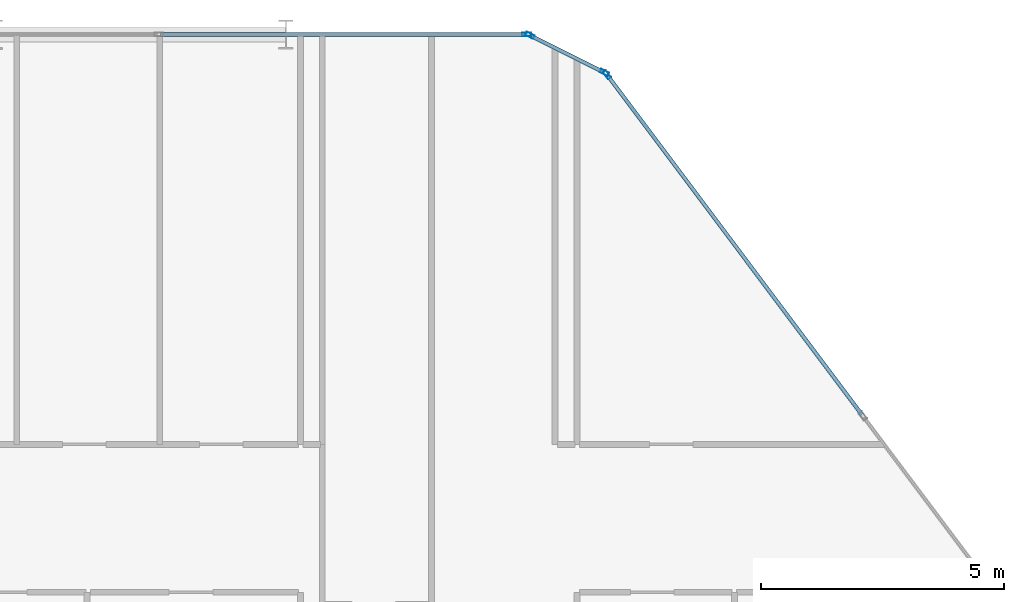
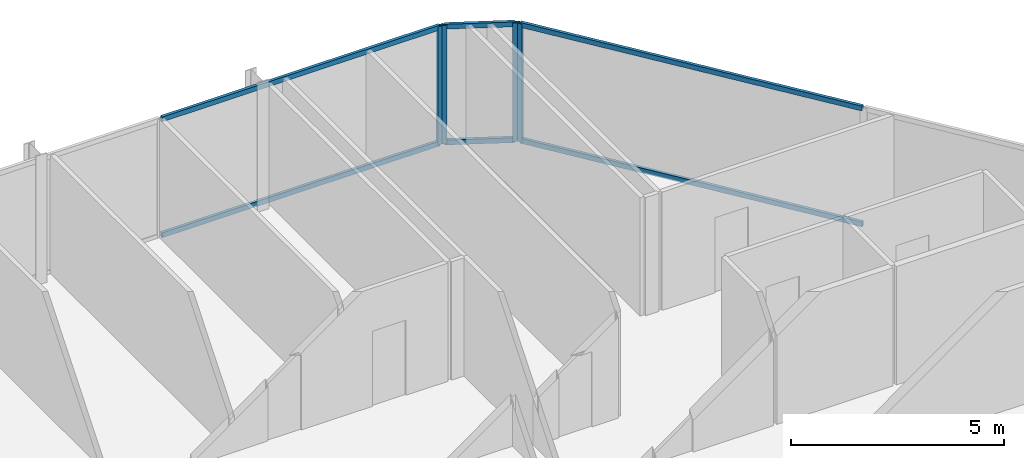
# One storey, part 20 of 29: 10 members, 3 elements without a shape of their own.
"""IFC4 building model written with IfcOpenShell, lengths in metres."""

import ifcopenshell
import ifcopenshell.guid

model = None  # the IFC model being written
_history = None  # IfcOwnerHistory: only IFC2X3 demands one
_inside = {}  # id of a spatial element -> (the spatial element, [elements in it])
_under = {}  # id of a project, library or spatial element -> (it, [spatial elements below it])
_declared = {}  # id of a project -> (the project, [libraries it declares])
_typed = {}  # id of a type object -> (the type object, [elements of that type])
_made_of = {}  # id of a material, layer set ... -> (it, [elements and type objects made of it])


def new_model(schema):
    """Start an empty IFC model of exactly this schema.

    Asked for "IFC4X3", IfcOpenShell would pick the latest addendum, in which some entities
    have other attributes; the version numbers below select the first issue.
    IFC2X3 requires an IfcOwnerHistory on every rooted entity: one is made here for all.
    """
    global model, _history
    if schema == "IFC4X3":
        model = ifcopenshell.file(schema_version=(4, 3, 0, 0))
    else:
        model = ifcopenshell.file(schema=schema)
    _inside.clear()
    _under.clear()
    _declared.clear()
    _typed.clear()
    _made_of.clear()
    _history = None
    if model.schema == "IFC2X3":
        org = make("IfcOrganization", Name="unknown")
        user = make(
            "IfcPersonAndOrganization",
            ThePerson=make("IfcPerson", FamilyName="unknown"),
            TheOrganization=org,
        )
        app = make(
            "IfcApplication",
            ApplicationDeveloper=org,
            Version="unknown",
            ApplicationFullName="unknown",
            ApplicationIdentifier="unknown",
        )
        _history = make(
            "IfcOwnerHistory",
            OwningUser=user,
            OwningApplication=app,
            ChangeAction="ADDED",
            CreationDate=0,
        )
    return model


def make(cls, **values):
    """One entity of the class cls with the attributes given. An attribute that is None is left unset."""
    return model.create_entity(
        cls, **{name: value for name, value in values.items() if value is not None}
    )


def rooted(cls, **values):
    """An entity with a GlobalId (a new one), such as an element, a storey or a relation."""
    return make(cls, GlobalId=ifcopenshell.guid.new(), OwnerHistory=_history, **values)


def si_unit(unit_type, name, prefix=None):
    """IfcSIUnit, for example si_unit("LENGTHUNIT", "METRE", prefix="MILLI")."""
    return make("IfcSIUnit", UnitType=unit_type, Prefix=prefix, Name=name)


def assignment(units):
    """IfcUnitAssignment: the units of a project."""
    return None if units is None else make("IfcUnitAssignment", Units=units)


def point(xyz):
    """IfcCartesianPoint."""
    return None if xyz is None else make("IfcCartesianPoint", Coordinates=xyz)


def direction(xyz):
    """IfcDirection."""
    return None if xyz is None else make("IfcDirection", DirectionRatios=xyz)


def frame(location, z_axis=None, x_axis=None):
    """IfcAxis2Placement3D, a coordinate frame: its origin and axes. An axis left out is left unset."""
    return make(
        "IfcAxis2Placement3D",
        Location=point(location),
        Axis=direction(z_axis),
        RefDirection=direction(x_axis),
    )


def frame_2d(location, x_axis=None):
    """IfcAxis2Placement2D, a coordinate frame in the plane: its origin and x axis."""
    return make(
        "IfcAxis2Placement2D", Location=point(location), RefDirection=direction(x_axis)
    )


def origin():
    """The frame at (0, 0, 0) with its axes left unset."""
    return frame((0.0, 0.0, 0.0))


def origin_2d():
    """The frame at (0, 0) in the plane with its x axis left unset."""
    return frame_2d((0.0, 0.0))


def place(relative_to, where):
    """IfcLocalPlacement: puts the frame where relative to a parent placement (None: the world)."""
    return make(
        "IfcLocalPlacement", PlacementRelTo=relative_to, RelativePlacement=where
    )


def context(
    kind, dimensions, precision=None, world=None, true_north=None, identifier=None
):
    """IfcGeometricRepresentationContext, for example the 3D "Model" context."""
    return make(
        "IfcGeometricRepresentationContext",
        ContextIdentifier=identifier,
        ContextType=kind,
        CoordinateSpaceDimension=dimensions,
        Precision=precision,
        WorldCoordinateSystem=world,
        TrueNorth=true_north,
    )


def subcontext(parent, identifier, kind, view, scale=None):
    """IfcGeometricRepresentationSubContext, for example "Body" below "Model"."""
    return make(
        "IfcGeometricRepresentationSubContext",
        ContextIdentifier=identifier,
        ContextType=kind,
        ParentContext=parent,
        TargetScale=scale,
        TargetView=view,
    )


def project(units=None, contexts=None):
    """IfcProject with its units and contexts."""
    return rooted(
        "IfcProject",
        Name="project",
        RepresentationContexts=contexts,
        UnitsInContext=assignment(units),
    )


def spatial(cls, under=None, at=None, **own):
    """A site, building, storey or space (cls), placed at a placement, below another one or the project."""
    s = rooted(cls, ObjectPlacement=at, **own)
    if under is not None:
        _under.setdefault(under.id(), (under, []))[1].append(s)
    return s


def profile(cls, at=None, kind="AREA", **sizes):
    """A parametric profile (cls). Its sizes go by their IFC names, for example OverallWidth=200.0."""
    return make(cls, ProfileType=kind, Position=at, **sizes)


def hollow_rectangle(**sizes):
    """IfcRectangleHollowProfileDef."""
    return profile("IfcRectangleHollowProfileDef", **sizes)


def extrude(swept, where, along, depth):
    """IfcExtrudedAreaSolid: the profile swept, set in the frame where, extruded along a direction by depth."""
    return make(
        "IfcExtrudedAreaSolid",
        SweptArea=swept,
        Position=where,
        ExtrudedDirection=direction(along),
        Depth=depth,
    )


def shape(context_of_items, identifier, shape_type, items):
    """IfcShapeRepresentation: the items that make up one representation, for example the "Body"."""
    return make(
        "IfcShapeRepresentation",
        ContextOfItems=context_of_items,
        RepresentationIdentifier=identifier,
        RepresentationType=shape_type,
        Items=items,
    )


def material(Name=None, Category=None):
    """IfcMaterial."""
    return make("IfcMaterial", Name=Name, Category=Category)


def layer(
    of_material, thickness, ventilated=None, Name=None, Category=None, Priority=None
):
    """IfcMaterialLayer: one layer of a wall or slab, of a material (None: an air gap)."""
    return make(
        "IfcMaterialLayer",
        Material=of_material,
        LayerThickness=thickness,
        IsVentilated=ventilated,
        Name=Name,
        Category=Category,
        Priority=Priority,
    )


def layer_set(layers, Name=None):
    """IfcMaterialLayerSet."""
    return make("IfcMaterialLayerSet", MaterialLayers=layers, LayerSetName=Name)


def material_profile(
    of_material, cross_section, Name=None, Category=None, Priority=None
):
    """IfcMaterialProfile: a cross section and its material."""
    return make(
        "IfcMaterialProfile",
        Name=Name,
        Material=of_material,
        Profile=cross_section,
        Priority=Priority,
        Category=Category,
    )


def profile_set(profiles, Name=None, composite=None):
    """IfcMaterialProfileSet."""
    return make(
        "IfcMaterialProfileSet",
        Name=Name,
        MaterialProfiles=profiles,
        CompositeProfile=composite,
    )


def made_of(thing, what):
    """Note that an element or type object is made of a material, layer set ...; save() writes the relation."""
    if what is not None:
        _made_of.setdefault(what.id(), (what, []))[1].append(thing)
    return thing


def type_object(cls, material=None, **own):
    """A type object (cls), such as IfcWallType, which elements share."""
    return made_of(rooted(cls, **own), material)


def element(
    cls,
    number,
    at=None,
    inside=None,
    cuts=None,
    type_object=None,
    material=None,
    context=None,
    identifier="Body",
    shape_type=None,
    held_by="IfcProductDefinitionShape",
    body=None,
    shapes=None,
    **own,
):
    """One element of the class cls, such as IfcWall. Its Tag is "e" and its number.

    at: its placement. inside: the storey or other place that contains it. cuts: it is an
    opening in that element (IfcRelVoidsElement). A single representation is given by context,
    identifier, shape_type and body (its items); several are given by shapes. held_by: the class
    of the entity that holds the representations. save() writes the other relations.
    """
    e = rooted(cls, Tag="e%d" % number, ObjectPlacement=at, **own)
    if body is not None:
        shapes = [shape(context, identifier, shape_type, body)]
    if shapes is not None:
        e.Representation = make(held_by, Representations=shapes)
    if inside is not None:
        _inside.setdefault(inside.id(), (inside, []))[1].append(e)
    if cuts is not None:
        rooted(
            "IfcRelVoidsElement", RelatingBuildingElement=cuts, RelatedOpeningElement=e
        )
    if type_object is not None:
        _typed.setdefault(type_object.id(), (type_object, []))[1].append(e)
    return made_of(e, material)


def aggregate(whole, parts):
    """IfcRelAggregates: a whole, such as a stair, and the parts it consists of."""
    return rooted("IfcRelAggregates", RelatingObject=whole, RelatedObjects=parts)


def save(model, path):
    """Write the relations noted so far, then the file.

    IfcRelAggregates (storeys below a building ...), IfcRelContainedInSpatialStructure (elements
    in a storey), IfcRelDefinesByType, IfcRelAssociatesMaterial and IfcRelDeclares: one each for
    every whole, place, type object, material and project.
    """
    for whole, parts in _under.values():
        aggregate(whole, parts)
    for where, things in _inside.values():
        rooted(
            "IfcRelContainedInSpatialStructure",
            RelatedElements=things,
            RelatingStructure=where,
        )
    for kind, things in _typed.values():
        rooted("IfcRelDefinesByType", RelatedObjects=things, RelatingType=kind)
    for what, things in _made_of.values():
        rooted("IfcRelAssociatesMaterial", RelatedObjects=things, RelatingMaterial=what)
    for by, libraries in _declared.values():
        rooted("IfcRelDeclares", RelatingContext=by, RelatedDefinitions=libraries)
    model.write(path)


model = new_model("IFC4")

# Units and contexts
model_context = context("Model", 3, precision=1e-05, world=origin(), true_north=direction((0.0, 1.0)))
body_context = subcontext(model_context, "Body", "Model", "MODEL_VIEW")
ifc_project = project(units=[si_unit("LENGTHUNIT", "METRE"), si_unit("AREAUNIT", "SQUARE_METRE"), si_unit("VOLUMEUNIT", "CUBIC_METRE"), si_unit("PLANEANGLEUNIT", "RADIAN"), si_unit("MASSUNIT", "GRAM", prefix="KILO")], contexts=[model_context])

# Site, building, storey
site_placement = place(None, origin())
site = spatial("IfcSite", under=ifc_project, at=site_placement, CompositionType="ELEMENT")
building_placement = place(site_placement, origin())
building = spatial("IfcBuilding", under=site, at=building_placement, Name="Keshet Zoharim Tower", CompositionType="ELEMENT")
storey_placement = place(building_placement, frame((0.0, 0.0, 98.300048828125)))
storey = spatial("IfcBuildingStorey", under=building, at=storey_placement, Name="L23", CompositionType="ELEMENT", Elevation=98.300048828125)

# Curtain wall, member
ifc_material = material(Name="Aluminium 6063-T6", Category="aluminium")
ifc_layer = layer(ifc_material, 0.159912109375)
ifc_layer_set = layer_set([ifc_layer], Name="Aluminium 6063-T6")
curtain_wall_type = type_object("IfcCurtainWallType", Name="CW-SYS-03", PredefinedType="NOTDEFINED", material=ifc_layer_set)
curtain_wall_1_placement = place(storey_placement, origin())
curtain_wall_1 = element("IfcCurtainWall", 1, at=curtain_wall_1_placement, inside=storey, type_object=curtain_wall_type, Name="L23 Unitised Curtain Wall 13 Part 5", PredefinedType="NOTDEFINED")
ifc_material_profile_1 = material_profile(ifc_material, hollow_rectangle(XDim=0.080078125, YDim=0.179931640625, WallThickness=0.00439453125, at=origin_2d()), Name="MUL-80x180")
ifc_profile_set_1 = profile_set([ifc_material_profile_1], Name="Aluminium 6063-T6")
member_type_1 = type_object("IfcMemberType", Name="CWM-M18", PredefinedType="MULLION", material=ifc_profile_set_1)
member_1_placement = place(storey_placement, frame((49.965087890625, 53.89990234375, 0.0), z_axis=(0.0, 0.0, 1.0), x_axis=(0.0, 1.0, 0.0)))
member_1 = element("IfcMember", 2, at=member_1_placement, type_object=member_type_1, Name="CW-03 mullion 3", PredefinedType="MULLION", context=body_context, shape_type="SweptSolid", body=[
    extrude(hollow_rectangle(XDim=0.080078125, YDim=0.179931640625, WallThickness=0.00439453125, at=origin_2d()), origin(), (0.0, 0.0, 1.0), 3.385009765625),
])

# Curtain wall, members
curtain_wall_2_placement = place(storey_placement, origin())
curtain_wall_2 = element("IfcCurtainWall", 3, at=curtain_wall_2_placement, inside=storey, type_object=curtain_wall_type, Name="L23 Unitised Curtain Wall 14", PredefinedType="NOTDEFINED")
member_2_placement = place(storey_placement, frame((50.03125, 53.88427734375, 0.0), z_axis=(0.0, 0.0, 1.0), x_axis=(0.447213595499, 0.894427191001, 0.0)))
member_2 = element("IfcMember", 4, at=member_2_placement, type_object=member_type_1, Name="CW-03 mullion 1", PredefinedType="MULLION", context=body_context, shape_type="SweptSolid", body=[
    extrude(hollow_rectangle(XDim=0.080078125, YDim=0.179931640625, WallThickness=0.00439453125, at=origin_2d()), origin(), (0.0, 0.0, 1.0), 3.385009765625),
])
member_3_placement = place(storey_placement, frame((51.568603515625, 53.11572265625, 0.0), z_axis=(0.0, 0.0, 1.0), x_axis=(0.447213595499, 0.894427191001, 0.0)))
member_3 = element("IfcMember", 5, at=member_3_placement, type_object=member_type_1, Name="CW-03 mullion 2", PredefinedType="MULLION", context=body_context, shape_type="SweptSolid", body=[
    extrude(hollow_rectangle(XDim=0.080078125, YDim=0.179931640625, WallThickness=0.00439453125, at=origin_2d()), origin(), (0.0, 0.0, 1.0), 3.385009765625),
])

# Curtain wall, member
curtain_wall_3_placement = place(storey_placement, origin())
curtain_wall_3 = element("IfcCurtainWall", 6, at=curtain_wall_3_placement, inside=storey, type_object=curtain_wall_type, Name="L23 Unitised Curtain Wall 15", PredefinedType="NOTDEFINED")
member_4_placement = place(storey_placement, frame((51.62109375, 53.072021484375, 0.0), z_axis=(0.0, 0.0, 1.0), x_axis=(0.799999999998, 0.600000000002, 0.0)))
member_4 = element("IfcMember", 7, at=member_4_placement, type_object=member_type_1, Name="CW-03 mullion 1", PredefinedType="MULLION", context=body_context, shape_type="SweptSolid", body=[
    extrude(hollow_rectangle(XDim=0.080078125, YDim=0.179931640625, WallThickness=0.00439453125, at=origin_2d()), origin(), (0.0, 0.0, 1.0), 3.385009765625),
])

# Member
ifc_material_profile_2 = material_profile(ifc_material, hollow_rectangle(XDim=0.080078125, YDim=0.139892578125, WallThickness=0.00390625, at=origin_2d()), Name="TRN-80x140")
ifc_profile_set_2 = profile_set([ifc_material_profile_2], Name="Aluminium 6063-T6")
member_type_2 = type_object("IfcMemberType", Name="CWT-T14", PredefinedType="USERDEFINED", material=ifc_profile_set_2)
member_5_placement = place(storey_placement, frame((42.416259765625, 53.89990234375, 0.034912109375), z_axis=(1.0, 0.0, 0.0), x_axis=(0.0, 1.0, 0.0)))
member_5 = element("IfcMember", 8, at=member_5_placement, type_object=member_type_2, Name="CW-03 transom 2.1", ObjectType="TRANSOM", PredefinedType="USERDEFINED", context=body_context, shape_type="SweptSolid", body=[
    extrude(hollow_rectangle(XDim=0.080078125, YDim=0.139892578125, WallThickness=0.00390625, at=origin_2d()), origin(), (0.0, 0.0, 1.0), 7.513671875),
])

member_6_placement = place(storey_placement, frame((42.416259765625, 53.89990234375, 3.349853515625), z_axis=(1.0, 0.0, 0.0), x_axis=(0.0, 1.0, 0.0)))
member_6 = element("IfcMember", 9, at=member_6_placement, type_object=member_type_2, Name="CW-03 transom 2.2", ObjectType="TRANSOM", PredefinedType="USERDEFINED", context=body_context, shape_type="SweptSolid", body=[
    extrude(hollow_rectangle(XDim=0.080078125, YDim=0.139892578125, WallThickness=0.00390625, at=origin_2d()), origin(), (0.0, 0.0, 1.0), 7.513671875),
])

aggregate(curtain_wall_1, [member_1, member_5, member_6])

member_7_placement = place(storey_placement, frame((50.0625, 53.86865234375, 0.034912109375), z_axis=(0.894456801911, -0.447154368775, 0.0), x_axis=(0.447154368775, 0.894456801911, 0.0)))
member_7 = element("IfcMember", 10, at=member_7_placement, type_object=member_type_2, Name="CW-03 transom 1.1", ObjectType="TRANSOM", PredefinedType="USERDEFINED", context=body_context, shape_type="SweptSolid", body=[
    extrude(hollow_rectangle(XDim=0.080078125, YDim=0.139892578125, WallThickness=0.00390625, at=origin_2d()), origin(), (0.0, 0.0, 1.0), 1.64892578125),
])

member_8_placement = place(storey_placement, frame((50.0625, 53.86865234375, 3.349853515625), z_axis=(0.894456801911, -0.447154368775, 0.0), x_axis=(0.447154368775, 0.894456801911, 0.0)))
member_8 = element("IfcMember", 11, at=member_8_placement, type_object=member_type_2, Name="CW-03 transom 1.2", ObjectType="TRANSOM", PredefinedType="USERDEFINED", context=body_context, shape_type="SweptSolid", body=[
    extrude(hollow_rectangle(XDim=0.080078125, YDim=0.139892578125, WallThickness=0.00390625, at=origin_2d()), origin(), (0.0, 0.0, 1.0), 1.64892578125),
])

aggregate(curtain_wall_2, [member_2, member_3, member_7, member_8])

member_9_placement = place(storey_placement, frame((51.64208984375, 53.0439453125, 0.034912109375), z_axis=(0.599991043201, -0.800006717521, 0.0), x_axis=(0.800006717521, 0.599991043201, 0.0)))
member_9 = element("IfcMember", 12, at=member_9_placement, type_object=member_type_2, Name="CW-03 transom 1.1", ObjectType="TRANSOM", PredefinedType="USERDEFINED", context=body_context, shape_type="SweptSolid", body=[
    extrude(hollow_rectangle(XDim=0.080078125, YDim=0.139892578125, WallThickness=0.00390625, at=origin_2d()), origin(), (0.0, 0.0, 1.0), 8.722412109375),
])

member_10_placement = place(storey_placement, frame((51.64208984375, 53.0439453125, 3.349853515625), z_axis=(0.599991043201, -0.800006717521, 0.0), x_axis=(0.800006717521, 0.599991043201, 0.0)))
member_10 = element("IfcMember", 13, at=member_10_placement, type_object=member_type_2, Name="CW-03 transom 1.2", ObjectType="TRANSOM", PredefinedType="USERDEFINED", context=body_context, shape_type="SweptSolid", body=[
    extrude(hollow_rectangle(XDim=0.080078125, YDim=0.139892578125, WallThickness=0.00390625, at=origin_2d()), origin(), (0.0, 0.0, 1.0), 8.722412109375),
])

aggregate(curtain_wall_3, [member_4, member_9, member_10])

save(model, "model.ifc")
